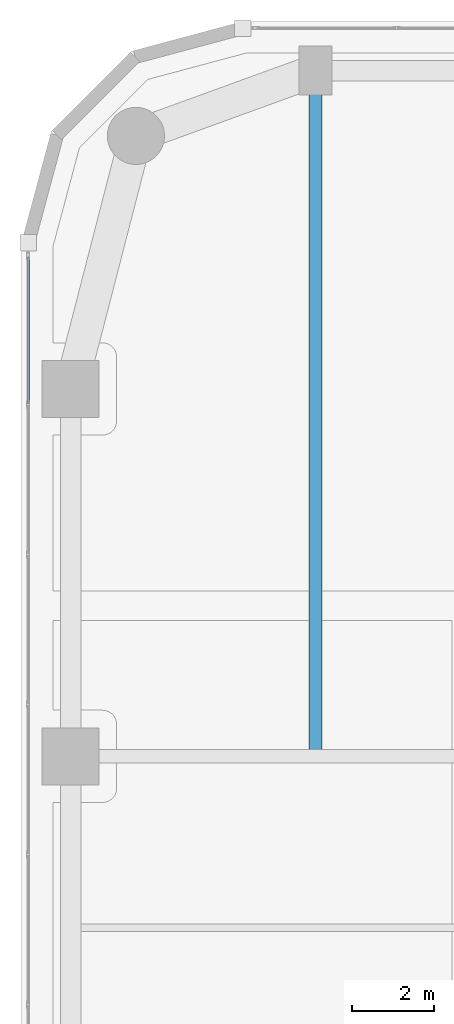
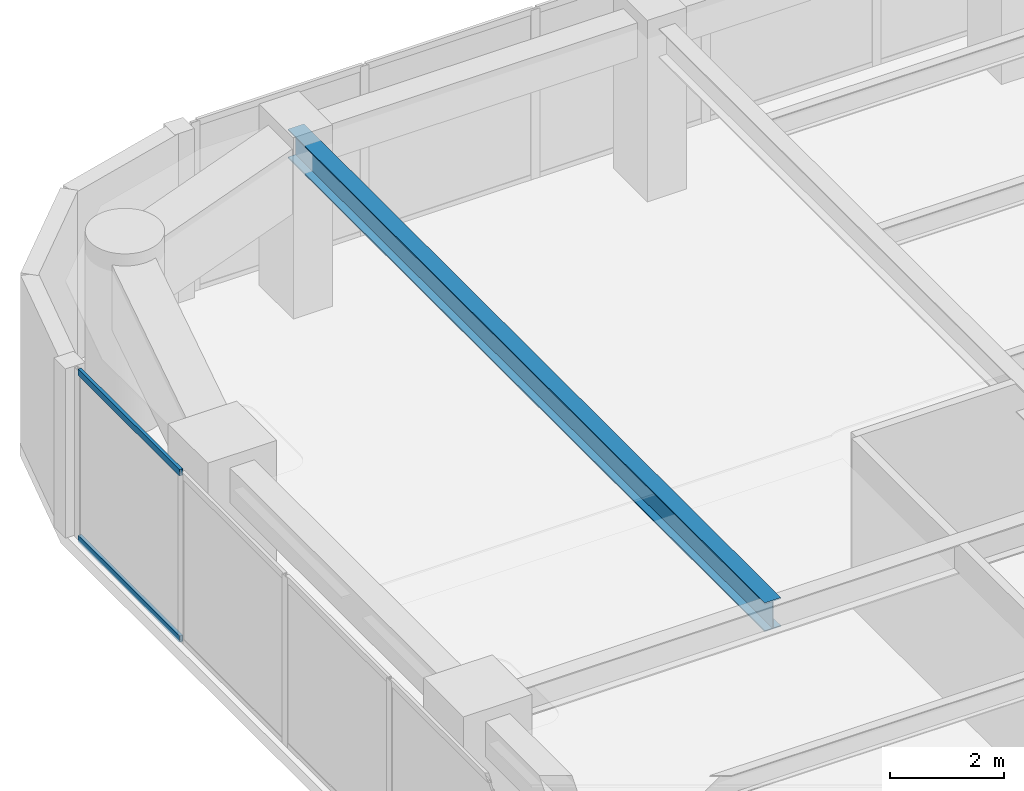
# One storey, part 10 of 24: 2 members, 1 beam, 1 element without a shape of its own.
"""IFC4 building model written with IfcOpenShell, lengths in metres."""

from ifc_helpers import new_model, si_unit, direction, frame, origin, origin_2d, place, context, subcontext, project, spatial, hollow_rectangle, i_section, extrude, material, layer, layer_set, material_profile, profile_set, type_object, element, aggregate, save


model = new_model("IFC4")

# Units and contexts
model_context = context("Model", 3, precision=1e-05, world=origin(), true_north=direction((0.0, 1.0)))
body_context = subcontext(model_context, "Body", "Model", "MODEL_VIEW")
ifc_project = project(units=[si_unit("LENGTHUNIT", "METRE"), si_unit("AREAUNIT", "SQUARE_METRE"), si_unit("VOLUMEUNIT", "CUBIC_METRE"), si_unit("PLANEANGLEUNIT", "RADIAN"), si_unit("MASSUNIT", "GRAM", prefix="KILO")], contexts=[model_context])

# Site, building, storey
site_placement = place(None, origin())
site = spatial("IfcSite", under=ifc_project, at=site_placement, CompositionType="ELEMENT")
building_placement = place(site_placement, origin())
building = spatial("IfcBuilding", under=site, at=building_placement, Name="Kiyonajd Concourse Tower", CompositionType="ELEMENT")
storey_placement = place(building_placement, frame((0.0, 0.0, 97.5)))
storey = spatial("IfcBuildingStorey", under=building, at=storey_placement, Name="L25", CompositionType="ELEMENT", Elevation=97.5)

# Beam
ifc_material_1 = material(Name="Steel ASTM A992 Grade 50", Category="steel")
ifc_material_profile_1 = material_profile(ifc_material_1, i_section(OverallWidth=0.326904296875, OverallDepth=0.6220703125, WebThickness=0.015380859375, FlangeThickness=0.0244140625, at=origin_2d()), Name="W610X195")
ifc_profile_set_1 = profile_set([ifc_material_profile_1], Name="Steel ASTM A992 Grade 50")
beam_type = type_object("IfcBeamType", Name="BM-TWR-610A", PredefinedType="BEAM", material=ifc_profile_set_1)
beam_placement = place(storey_placement, frame((25.199951171875, 44.39990234375, 3.3291015625), z_axis=(0.0, 1.0, 0.0), x_axis=(-1.0, 0.0, 0.0)))
element("IfcBeam", 1, at=beam_placement, inside=storey, type_object=beam_type, Name="L25 North Lease Girder", PredefinedType="BEAM", context=body_context, shape_type="SweptSolid", body=[
    extrude(i_section(OverallWidth=0.326904296875, OverallDepth=0.6220703125, WebThickness=0.015380859375, FlangeThickness=0.0244140625, at=origin_2d()), origin(), (0.0, 0.0, 1.0), 16.800048828125),
])

# Curtain wall, members
ifc_material_2 = material(Name="Thermally Broken Anodised Aluminium", Category="aluminium")
ifc_layer = layer(ifc_material_2, 0.179931640625)
ifc_layer_set = layer_set([ifc_layer], Name="Thermally Broken Anodised Aluminium")
curtain_wall_type = type_object("IfcCurtainWallType", Name="CW-SYS-03", PredefinedType="NOTDEFINED", material=ifc_layer_set)
curtain_wall_placement = place(storey_placement, origin())
curtain_wall = element("IfcCurtainWall", 2, at=curtain_wall_placement, inside=storey, type_object=curtain_wall_type, Name="L25 Unitised Curtain Wall CW3", PredefinedType="NOTDEFINED")
ifc_material_profile_2 = material_profile(ifc_material_2, hollow_rectangle(XDim=0.06494140625, YDim=0.139892578125, WallThickness=0.00390625, at=origin_2d()), Name="TRAN-65x140")
ifc_profile_set_2 = profile_set([ifc_material_profile_2], Name="Thermally Broken Anodised Aluminium")
member_type = type_object("IfcMemberType", Name="MB-CW-TRAN1", PredefinedType="USERDEFINED", material=ifc_profile_set_2)
member_1_placement = place(storey_placement, frame((18.159912109375, 53.04833984375, 0.032470703125), z_axis=(0.0, 1.0, 0.0), x_axis=(-1.0, 0.0, 0.0)))
member_1 = element("IfcMember", 3, at=member_1_placement, type_object=member_type, Name="CW3 transom 6.1", ObjectType="TRANSOM", PredefinedType="USERDEFINED", context=body_context, shape_type="SweptSolid", body=[
    extrude(hollow_rectangle(XDim=0.06494140625, YDim=0.139892578125, WallThickness=0.00390625, at=origin_2d()), origin(), (0.0, 0.0, 1.0), 3.575439453125),
])
member_2_placement = place(storey_placement, frame((18.159912109375, 53.04833984375, 3.607421875), z_axis=(0.0, 1.0, 0.0), x_axis=(-1.0, 0.0, 0.0)))
member_2 = element("IfcMember", 4, at=member_2_placement, type_object=member_type, Name="CW3 transom 6.2", ObjectType="TRANSOM", PredefinedType="USERDEFINED", context=body_context, shape_type="SweptSolid", body=[
    extrude(hollow_rectangle(XDim=0.06494140625, YDim=0.139892578125, WallThickness=0.00390625, at=origin_2d()), origin(), (0.0, 0.0, 1.0), 3.575439453125),
])
aggregate(curtain_wall, [member_1, member_2])

save(model, "model.ifc")
